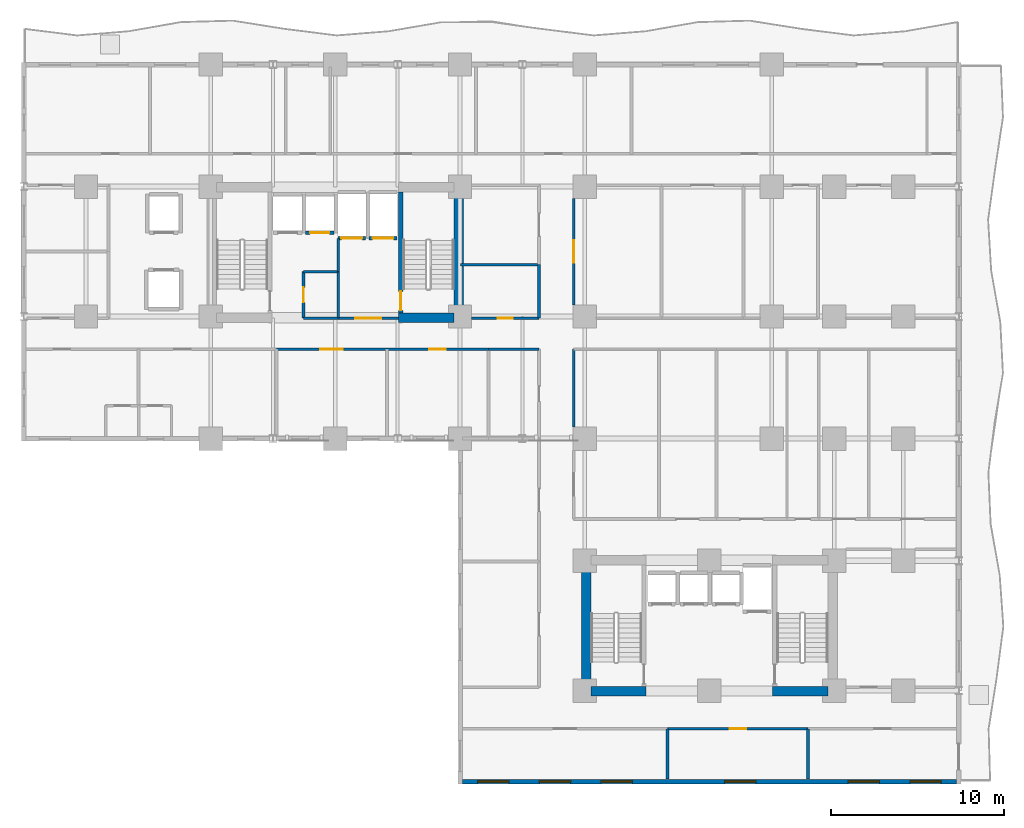
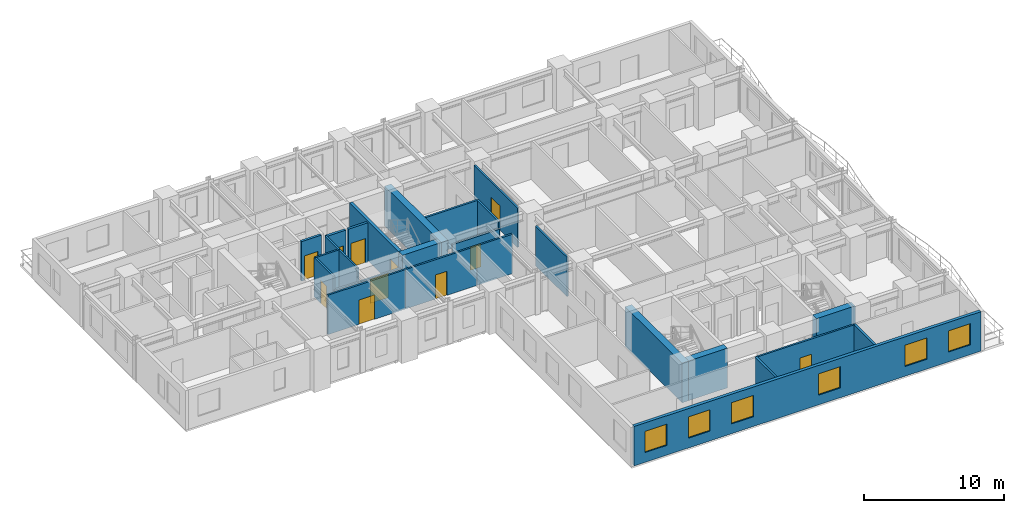
# One storey, part 4 of 11: 27 walls, 11 doors, 6 windows, 17 openings.
"""IFC4 building model written with IfcOpenShell, lengths in metres."""

from ifc_helpers import new_model, si_unit, direction, frame, frame_2d, origin, place, context, subcontext, project, spatial, rectangle, extrude, material, layer, layer_set, type_object, element, fill, save


model = new_model("IFC4")

# Units and contexts
model_context = context("Model", 3, precision=1e-05, world=origin(), true_north=direction((0.0, 1.0)))
body_context = subcontext(model_context, "Body", "Model", "MODEL_VIEW")
ifc_project = project(units=[si_unit("LENGTHUNIT", "METRE"), si_unit("AREAUNIT", "SQUARE_METRE"), si_unit("VOLUMEUNIT", "CUBIC_METRE"), si_unit("PLANEANGLEUNIT", "RADIAN"), si_unit("MASSUNIT", "GRAM", prefix="KILO")], contexts=[model_context])

# Site, building, storey
site_placement = place(None, origin())
site = spatial("IfcSite", under=ifc_project, at=site_placement, CompositionType="ELEMENT")
building_placement = place(site_placement, origin())
building = spatial("IfcBuilding", under=site, at=building_placement, Name="Kaliganga Portal Commons", CompositionType="ELEMENT")
storey_placement = place(building_placement, frame((0.0, 0.0, 36.39990234375)))
storey = spatial("IfcBuildingStorey", under=building, at=storey_placement, Name="L08", CompositionType="ELEMENT", Elevation=36.39990234375)

# Walls
ifc_material_1 = material(Name="Concrete C60/75", Category="concrete")
ifc_layer_1 = layer(ifc_material_1, 0.550048828125)
ifc_layer_set_1 = layer_set([ifc_layer_1], Name="Concrete C60/75")
wall_type_1 = type_object("IfcWallType", Name="WL-CORE-550", PredefinedType="SHEAR", material=ifc_layer_set_1)
wall_1_placement = place(storey_placement, frame((28.72509765625, 28.300048828125, 0.0), z_axis=(0.0, 0.0, 1.0), x_axis=(0.0, 1.0, 0.0)))
element("IfcWall", 1, at=wall_1_placement, inside=storey, type_object=wall_type_1, Name="Core A East Shear Wall L08", PredefinedType="SHEAR", context=body_context, shape_type="SweptSolid", body=[
    extrude(rectangle(XDim=8.099853515625, YDim=0.550048828125, at=frame_2d((4.0498046875, 0.0))), origin(), (0.0, 0.0, 1.0), 3.4501953125),
])
wall_2_placement = place(storey_placement, frame((25.25, 28.574951171875, 0.0), z_axis=(0.0, 0.0, 1.0), x_axis=(1.0, 0.0, 0.0)))
element("IfcWall", 2, at=wall_2_placement, inside=storey, type_object=wall_type_1, Name="Core A S-East Shear Wall L08", PredefinedType="SHEAR", context=body_context, shape_type="SweptSolid", body=[
    extrude(rectangle(XDim=3.199951171875, YDim=0.550048828125, at=frame_2d((1.60009765625, 0.0))), origin(), (0.0, 0.0, 1.0), 3.4501953125),
])
wall_3_placement = place(storey_placement, frame((36.074951171875, 6.75, 0.0), z_axis=(0.0, 0.0, 1.0), x_axis=(0.0, 1.0, 0.0)))
element("IfcWall", 3, at=wall_3_placement, inside=storey, type_object=wall_type_1, Name="Core B West Shear Wall L08", PredefinedType="SHEAR", context=body_context, shape_type="SweptSolid", body=[
    extrude(rectangle(XDim=8.10009765625, YDim=0.550048828125, at=frame_2d((4.050048828125, 0.0))), origin(), (0.0, 0.0, 1.0), 3.4501953125),
])
for number, where, z_axis, x_axis, name in (
    (4, (36.35009765625, 7.02490234375, 0.0), (0.0, 0.0, 1.0), (1.0, 0.0, 0.0), "Core B S-West Shear Wall L08"),
    (5, (46.85009765625, 7.02490234375, 0.0), (0.0, 0.0, 1.0), (1.0, 0.0, 0.0), "Core B S-East Shear Wall L08"),
):
    element("IfcWall", number, at=place(storey_placement, frame(where, z_axis=z_axis, x_axis=x_axis)), inside=storey, type_object=wall_type_1, Name=name, PredefinedType="SHEAR", context=body_context, shape_type="SweptSolid", body=[
        extrude(rectangle(XDim=3.199951171875, YDim=0.550048828125, at=frame_2d((1.60009765625, 0.0))), origin(), (0.0, 0.0, 1.0), 3.4501953125),
    ])

# Wall, openings, windows
ifc_material_2 = material(Name="Insulated Aluminium-Clad Spandrel Assembly", Category="aluminium")
ifc_layer_2 = layer(ifc_material_2, 0.260009765625)
ifc_layer_set_2 = layer_set([ifc_layer_2], Name="Insulated Aluminium-Clad Spandrel Assembly")
wall_type_2 = type_object("IfcWallType", Name="WL-EXT-SPAND-260", PredefinedType="STANDARD", material=ifc_layer_set_2)
wall_4_placement = place(storey_placement, frame((57.465087890625, 1.800048828125, 0.0), z_axis=(0.0, 0.0, 1.0), x_axis=(-1.0, 0.0, 0.0)))
wall_4 = element("IfcWall", 6, at=wall_4_placement, inside=storey, type_object=wall_type_2, Name="Exterior Envelope Wall L08 P1-E00-S1", PredefinedType="STANDARD", context=body_context, shape_type="SweptSolid", body=[
    extrude(rectangle(XDim=28.530029296875, YDim=0.260009765625, at=frame_2d((14.26513671875, 0.0))), origin(), (0.0, 0.0, 1.0), 3.43017578125),
])
opening_1_placement = place(wall_4_placement, frame((0.883056640625, 0.0, 0.85009765625)))
opening_1 = element("IfcOpeningElement", 7, at=opening_1_placement, cuts=wall_4, Name="Opening W-01", PredefinedType="OPENING", context=body_context, shape_type="SweptSolid", body=[
    extrude(rectangle(XDim=1.800048828125, YDim=1.85009765625, at=frame_2d((0.89990234375, 0.925048828125))), frame((0.0, 0.14013671875, 0.0), z_axis=(0.0, -1.0, 0.0), x_axis=(1.0, 0.0, 0.0)), (0.0, 0.0, 1.0), 0.280029296875),
])
opening_2_placement = place(wall_4_placement, frame((4.449462890625, 0.0, 0.85009765625)))
opening_2 = element("IfcOpeningElement", 8, at=opening_2_placement, cuts=wall_4, Name="Opening W-01", PredefinedType="OPENING", context=body_context, shape_type="SweptSolid", body=[
    extrude(rectangle(XDim=1.800048828125, YDim=1.85009765625, at=frame_2d((0.89990234375, 0.925048828125))), frame((0.0, 0.14013671875, 0.0), z_axis=(0.0, -1.0, 0.0), x_axis=(1.0, 0.0, 0.0)), (0.0, 0.0, 1.0), 0.280029296875),
])
opening_3_placement = place(wall_4_placement, frame((11.581787109375, 0.0, 0.85009765625)))
opening_3 = element("IfcOpeningElement", 9, at=opening_3_placement, cuts=wall_4, Name="Opening W-01", PredefinedType="OPENING", context=body_context, shape_type="SweptSolid", body=[
    extrude(rectangle(XDim=1.800048828125, YDim=1.85009765625, at=frame_2d((0.89990234375, 0.925048828125))), frame((0.0, 0.14013671875, 0.0), z_axis=(0.0, -1.0, 0.0), x_axis=(1.0, 0.0, 0.0)), (0.0, 0.0, 1.0), 0.280029296875),
])
opening_4_placement = place(wall_4_placement, frame((18.71435546875, 0.0, 0.85009765625)))
opening_4 = element("IfcOpeningElement", 10, at=opening_4_placement, cuts=wall_4, Name="Opening W-01", PredefinedType="OPENING", context=body_context, shape_type="SweptSolid", body=[
    extrude(rectangle(XDim=1.800048828125, YDim=1.85009765625, at=frame_2d((0.89990234375, 0.925048828125))), frame((0.0, 0.14013671875, 0.0), z_axis=(0.0, -1.0, 0.0), x_axis=(1.0, 0.0, 0.0)), (0.0, 0.0, 1.0), 0.280029296875),
])
opening_5_placement = place(wall_4_placement, frame((22.280517578125, 0.0, 0.85009765625)))
opening_5 = element("IfcOpeningElement", 11, at=opening_5_placement, cuts=wall_4, Name="Opening W-01", PredefinedType="OPENING", context=body_context, shape_type="SweptSolid", body=[
    extrude(rectangle(XDim=1.800048828125, YDim=1.85009765625, at=frame_2d((0.89990234375, 0.925048828125))), frame((0.0, 0.14013671875, 0.0), z_axis=(0.0, -1.0, 0.0), x_axis=(1.0, 0.0, 0.0)), (0.0, 0.0, 1.0), 0.280029296875),
])
opening_6_placement = place(wall_4_placement, frame((25.846923828125, 0.0, 0.85009765625)))
opening_6 = element("IfcOpeningElement", 12, at=opening_6_placement, cuts=wall_4, Name="Opening W-01", PredefinedType="OPENING", context=body_context, shape_type="SweptSolid", body=[
    extrude(rectangle(XDim=1.800048828125, YDim=1.85009765625, at=frame_2d((0.89990234375, 0.925048828125))), frame((0.0, 0.14013671875, 0.0), z_axis=(0.0, -1.0, 0.0), x_axis=(1.0, 0.0, 0.0)), (0.0, 0.0, 1.0), 0.280029296875),
])
ifc_material_3 = material(Name="Thermally Broken Aluminium and Low-E Double Glazing", Category="aluminium")
window_type = type_object("IfcWindowType", Name="WIN-STD-1800", PartitioningType="DOUBLE_PANEL_VERTICAL", PredefinedType="WINDOW", material=ifc_material_3)
window_1_placement = place(opening_1_placement, origin())
window_1 = element("IfcWindow", 13, at=window_1_placement, inside=storey, type_object=window_type, Name="Facade Window L08-P1E00S1-00", OverallHeight=1.85009765625, OverallWidth=1.800048828125, PartitioningType="SINGLE_PANEL", PredefinedType="WINDOW", context=body_context, shape_type="SweptSolid", body=[
    extrude(rectangle(XDim=1.800048828125, YDim=1.85009765625, at=frame_2d((0.89990234375, 0.925048828125))), frame((0.0, 0.030029296875, 0.0), z_axis=(0.0, -1.0, 0.0), x_axis=(1.0, 0.0, 0.0)), (0.0, 0.0, 1.0), 0.06005859375),
])
fill(opening_1, window_1)
window_2_placement = place(opening_2_placement, origin())
window_2 = element("IfcWindow", 14, at=window_2_placement, inside=storey, type_object=window_type, Name="Facade Window L08-P1E00S1-01", OverallHeight=1.85009765625, OverallWidth=1.800048828125, PartitioningType="SINGLE_PANEL", PredefinedType="WINDOW", context=body_context, shape_type="SweptSolid", body=[
    extrude(rectangle(XDim=1.800048828125, YDim=1.85009765625, at=frame_2d((0.89990234375, 0.925048828125))), frame((0.0, 0.030029296875, 0.0), z_axis=(0.0, -1.0, 0.0), x_axis=(1.0, 0.0, 0.0)), (0.0, 0.0, 1.0), 0.06005859375),
])
fill(opening_2, window_2)
window_3_placement = place(opening_3_placement, origin())
window_3 = element("IfcWindow", 15, at=window_3_placement, inside=storey, type_object=window_type, Name="Facade Window L08-P1E00S1-03", OverallHeight=1.85009765625, OverallWidth=1.800048828125, PartitioningType="SINGLE_PANEL", PredefinedType="WINDOW", context=body_context, shape_type="SweptSolid", body=[
    extrude(rectangle(XDim=1.800048828125, YDim=1.85009765625, at=frame_2d((0.89990234375, 0.925048828125))), frame((0.0, 0.030029296875, 0.0), z_axis=(0.0, -1.0, 0.0), x_axis=(1.0, 0.0, 0.0)), (0.0, 0.0, 1.0), 0.06005859375),
])
fill(opening_3, window_3)
window_4_placement = place(opening_4_placement, origin())
window_4 = element("IfcWindow", 16, at=window_4_placement, inside=storey, type_object=window_type, Name="Facade Window L08-P1E00S1-05", OverallHeight=1.85009765625, OverallWidth=1.800048828125, PartitioningType="SINGLE_PANEL", PredefinedType="WINDOW", context=body_context, shape_type="SweptSolid", body=[
    extrude(rectangle(XDim=1.800048828125, YDim=1.85009765625, at=frame_2d((0.89990234375, 0.925048828125))), frame((0.0, 0.030029296875, 0.0), z_axis=(0.0, -1.0, 0.0), x_axis=(1.0, 0.0, 0.0)), (0.0, 0.0, 1.0), 0.06005859375),
])
fill(opening_4, window_4)
window_5_placement = place(opening_5_placement, origin())
window_5 = element("IfcWindow", 17, at=window_5_placement, inside=storey, type_object=window_type, Name="Facade Window L08-P1E00S1-06", OverallHeight=1.85009765625, OverallWidth=1.800048828125, PartitioningType="SINGLE_PANEL", PredefinedType="WINDOW", context=body_context, shape_type="SweptSolid", body=[
    extrude(rectangle(XDim=1.800048828125, YDim=1.85009765625, at=frame_2d((0.89990234375, 0.925048828125))), frame((0.0, 0.030029296875, 0.0), z_axis=(0.0, -1.0, 0.0), x_axis=(1.0, 0.0, 0.0)), (0.0, 0.0, 1.0), 0.06005859375),
])
fill(opening_5, window_5)
window_6_placement = place(opening_6_placement, origin())
window_6 = element("IfcWindow", 18, at=window_6_placement, inside=storey, type_object=window_type, Name="Facade Window L08-P1E00S1-07", OverallHeight=1.85009765625, OverallWidth=1.800048828125, PartitioningType="SINGLE_PANEL", PredefinedType="WINDOW", context=body_context, shape_type="SweptSolid", body=[
    extrude(rectangle(XDim=1.800048828125, YDim=1.85009765625, at=frame_2d((0.89990234375, 0.925048828125))), frame((0.0, 0.030029296875, 0.0), z_axis=(0.0, -1.0, 0.0), x_axis=(1.0, 0.0, 0.0)), (0.0, 0.0, 1.0), 0.06005859375),
])
fill(opening_6, window_6)

# Wall
ifc_material_4 = material(Name="Fire-Rated Gypsum Board on Steel Stud", Category="steel")
ifc_layer_3 = layer(ifc_material_4, 0.14990234375)
ifc_layer_set_3 = layer_set([ifc_layer_3], Name="Fire-Rated Gypsum Board on Steel Stud")
wall_type_3 = type_object("IfcWallType", Name="WL-PART-CORR-150", PredefinedType="PARTITIONING", material=ifc_layer_set_3)
wall_5_placement = place(storey_placement, frame((35.360107421875, 22.27490234375, 0.0), z_axis=(0.0, 0.0, 1.0), x_axis=(0.0, 1.0, 0.0)))
element("IfcWall", 19, at=wall_5_placement, inside=storey, type_object=wall_type_3, Name="Interior Partition L08-009", PredefinedType="PARTITIONING", context=body_context, shape_type="SweptSolid", body=[
    extrude(rectangle(XDim=4.485107421875, YDim=0.14990234375, at=frame_2d((2.24267578125, 0.0))), origin(), (0.0, 0.0, 1.0), 3.43017578125),
])

# Wall, opening, door
wall_6_placement = place(storey_placement, frame((40.780029296875, 4.840087890625, 0.0), z_axis=(0.0, 0.0, 1.0), x_axis=(1.0, 0.0, 0.0)))
wall_6 = element("IfcWall", 20, at=wall_6_placement, inside=storey, type_object=wall_type_3, Name="Interior Partition L08-015", PredefinedType="PARTITIONING", context=body_context, shape_type="SweptSolid", body=[
    extrude(rectangle(XDim=8.119873046875, YDim=0.14990234375, at=frame_2d((4.06005859375, 0.0))), origin(), (0.0, 0.0, 1.0), 3.43017578125),
])
opening_7_placement = place(wall_6_placement, frame((3.5849609375, 0.0, 0.0)))
opening_7 = element("IfcOpeningElement", 21, at=opening_7_placement, cuts=wall_6, Name="Opening UD-01", PredefinedType="OPENING", context=body_context, shape_type="SweptSolid", body=[
    extrude(rectangle(XDim=0.949951171875, YDim=2.10009765625, at=frame_2d((0.47509765625, 1.050048828125))), frame((0.0, 0.0849609375, 0.0), z_axis=(0.0, -1.0, 0.0), x_axis=(1.0, 0.0, 0.0)), (0.0, 0.0, 1.0), 0.169921875),
])
ifc_material_5 = material(Name="Solid-Core Timber Acoustic Fire Door", Category="wood")
door_type_1 = type_object("IfcDoorType", Name="DR-UNIT-950", OperationType="NOTDEFINED", PredefinedType="DOOR", material=ifc_material_5)
door_1_placement = place(opening_7_placement, origin())
door_1 = element("IfcDoor", 22, at=door_1_placement, inside=storey, type_object=door_type_1, Name="Interior Door L08-BS02", OperationType="SINGLE_SWING_LEFT", OverallHeight=2.10009765625, OverallWidth=0.949951171875, PredefinedType="DOOR", context=body_context, shape_type="SweptSolid", body=[
    extrude(rectangle(XDim=0.949951171875, YDim=2.10009765625, at=frame_2d((0.47509765625, 1.050048828125))), frame((0.0, 0.02490234375, 0.0), z_axis=(0.0, -1.0, 0.0), x_axis=(1.0, 0.0, 0.0)), (0.0, 0.0, 1.0), 0.050048828125),
])
fill(opening_7, door_1)

wall_7_placement = place(storey_placement, frame((35.360107421875, 29.324951171875, 0.0), z_axis=(0.0, 0.0, 1.0), x_axis=(0.0, 1.0, 0.0)))
wall_7 = element("IfcWall", 23, at=wall_7_placement, inside=storey, type_object=wall_type_3, Name="Interior Partition L08-018", PredefinedType="PARTITIONING", context=body_context, shape_type="SweptSolid", body=[
    extrude(rectangle(XDim=6.150146484375, YDim=0.14990234375, at=frame_2d((3.0751953125, 0.0))), origin(), (0.0, 0.0, 1.0), 3.43017578125),
])
opening_8_placement = place(wall_7_placement, frame((2.425048828125, 0.0, 0.0)))
opening_8 = element("IfcOpeningElement", 24, at=opening_8_placement, cuts=wall_7, Name="Opening RD-03", PredefinedType="OPENING", context=body_context, shape_type="SweptSolid", body=[
    extrude(rectangle(XDim=1.300048828125, YDim=2.1201171875, at=frame_2d((0.64990234375, 1.06005859375))), frame((0.0, 0.0849609375, 0.0), z_axis=(0.0, -1.0, 0.0), x_axis=(1.0, 0.0, 0.0)), (0.0, 0.0, 1.0), 0.169921875),
])
ifc_material_6 = material(Name="Glazed Timber Seminar Vision Door", Category="wood")
door_type_2 = type_object("IfcDoorType", Name="DR-STUDY-1300", OperationType="DOUBLE_DOOR_SINGLE_SWING", PredefinedType="DOOR", material=ifc_material_6)
door_2_placement = place(opening_8_placement, origin())
door_2 = element("IfcDoor", 25, at=door_2_placement, inside=storey, type_object=door_type_2, Name="Interior Door L08-BK01", OperationType="DOUBLE_DOOR_SINGLE_SWING", OverallHeight=2.1201171875, OverallWidth=1.300048828125, PredefinedType="DOOR", context=body_context, shape_type="SweptSolid", body=[
    extrude(rectangle(XDim=1.300048828125, YDim=2.1201171875, at=frame_2d((0.64990234375, 1.06005859375))), frame((0.0, 0.02490234375, 0.0), z_axis=(0.0, -1.0, 0.0), x_axis=(1.0, 0.0, 0.0)), (0.0, 0.0, 1.0), 0.050048828125),
])
fill(opening_8, door_2)

wall_8_placement = place(storey_placement, frame((18.199951171875, 26.760009765625, 0.0), z_axis=(0.0, 0.0, 1.0), x_axis=(1.0, 0.0, 0.0)))
wall_8 = element("IfcWall", 26, at=wall_8_placement, inside=storey, type_object=wall_type_3, Name="Interior Partition L08-027", PredefinedType="PARTITIONING", context=body_context, shape_type="SweptSolid", body=[
    extrude(rectangle(XDim=6.380126953125, YDim=0.14990234375, at=frame_2d((3.18994140625, 0.0))), origin(), (0.0, 0.0, 1.0), 3.43017578125),
])
opening_9_placement = place(wall_8_placement, frame((2.5400390625, 0.0, 0.0)))
opening_9 = element("IfcOpeningElement", 27, at=opening_9_placement, cuts=wall_8, Name="Opening RD-03", PredefinedType="OPENING", context=body_context, shape_type="SweptSolid", body=[
    extrude(rectangle(XDim=1.300048828125, YDim=2.1201171875, at=frame_2d((0.64990234375, 1.06005859375))), frame((0.0, 0.0849609375, 0.0), z_axis=(0.0, -1.0, 0.0), x_axis=(1.0, 0.0, 0.0)), (0.0, 0.0, 1.0), 0.169921875),
])
door_3_placement = place(opening_9_placement, origin())
door_3 = element("IfcDoor", 28, at=door_3_placement, inside=storey, type_object=door_type_2, Name="Interior Door L08-AS03", OperationType="DOUBLE_DOOR_SINGLE_SWING", OverallHeight=2.1201171875, OverallWidth=1.300048828125, PredefinedType="DOOR", context=body_context, shape_type="SweptSolid", body=[
    extrude(rectangle(XDim=1.300048828125, YDim=2.1201171875, at=frame_2d((0.64990234375, 1.06005859375))), frame((0.0, 0.02490234375, 0.0), z_axis=(0.0, -1.0, 0.0), x_axis=(1.0, 0.0, 0.0)), (0.0, 0.0, 1.0), 0.050048828125),
])
fill(opening_9, door_3)

wall_9_placement = place(storey_placement, frame((24.580078125, 26.760009765625, 0.0), z_axis=(0.0, 0.0, 1.0), x_axis=(1.0, 0.0, 0.0)))
wall_9 = element("IfcWall", 29, at=wall_9_placement, inside=storey, type_object=wall_type_3, Name="Interior Partition L08-028", PredefinedType="PARTITIONING", context=body_context, shape_type="SweptSolid", body=[
    extrude(rectangle(XDim=5.85986328125, YDim=0.14990234375, at=frame_2d((2.929931640625, 0.0))), origin(), (0.0, 0.0, 1.0), 3.43017578125),
])
opening_10_placement = place(wall_9_placement, frame((2.455078125, 0.0, 0.0)))
opening_10 = element("IfcOpeningElement", 30, at=opening_10_placement, cuts=wall_9, Name="Opening UD-01", PredefinedType="OPENING", context=body_context, shape_type="SweptSolid", body=[
    extrude(rectangle(XDim=0.949951171875, YDim=2.10009765625, at=frame_2d((0.47509765625, 1.050048828125))), frame((0.0, 0.0849609375, 0.0), z_axis=(0.0, -1.0, 0.0), x_axis=(1.0, 0.0, 0.0)), (0.0, 0.0, 1.0), 0.169921875),
])
door_4_placement = place(opening_10_placement, origin())
door_4 = element("IfcDoor", 31, at=door_4_placement, inside=storey, type_object=door_type_1, Name="Interior Door L08-AS04", OperationType="SINGLE_SWING_LEFT", OverallHeight=2.10009765625, OverallWidth=0.949951171875, PredefinedType="DOOR", context=body_context, shape_type="SweptSolid", body=[
    extrude(rectangle(XDim=0.949951171875, YDim=2.10009765625, at=frame_2d((0.47509765625, 1.050048828125))), frame((0.0, 0.02490234375, 0.0), z_axis=(0.0, -1.0, 0.0), x_axis=(1.0, 0.0, 0.0)), (0.0, 0.0, 1.0), 0.050048828125),
])
fill(opening_10, door_4)

wall_10_placement = place(storey_placement, frame((29.47509765625, 28.56005859375, 0.0), z_axis=(0.0, 0.0, 1.0), x_axis=(1.0, 0.0, 0.0)))
wall_10 = element("IfcWall", 32, at=wall_10_placement, inside=storey, type_object=wall_type_3, Name="Interior Partition L08-040", PredefinedType="PARTITIONING", context=body_context, shape_type="SweptSolid", body=[
    extrude(rectangle(XDim=3.885009765625, YDim=0.14990234375, at=frame_2d((1.9423828125, 0.0))), origin(), (0.0, 0.0, 1.0), 2.780029296875),
])
opening_11_placement = place(wall_10_placement, frame((1.512451171875, 0.0, 0.0)))
opening_11 = element("IfcOpeningElement", 33, at=opening_11_placement, cuts=wall_10, Name="Opening WD-02", PredefinedType="OPENING", context=body_context, shape_type="SweptSolid", body=[
    extrude(rectangle(XDim=0.860107421875, YDim=2.02001953125, at=frame_2d((0.43017578125, 1.010009765625))), frame((0.0, 0.0849609375, 0.0), z_axis=(0.0, -1.0, 0.0), x_axis=(1.0, 0.0, 0.0)), (0.0, 0.0, 1.0), 0.169921875),
])
ifc_material_7 = material(Name="Fire-Rated Utility Closet Door", Category="wood")
door_type_3 = type_object("IfcDoorType", Name="DR-STORE-800", OperationType="NOTDEFINED", PredefinedType="DOOR", material=ifc_material_7)
door_5_placement = place(opening_11_placement, origin())
door_5 = element("IfcDoor", 34, at=door_5_placement, inside=storey, type_object=door_type_3, Name="Interior Door L08-CSRV_A1", OperationType="SINGLE_SWING_RIGHT", OverallHeight=2.02001953125, OverallWidth=0.860107421875, PredefinedType="DOOR", context=body_context, shape_type="SweptSolid", body=[
    extrude(rectangle(XDim=0.860107421875, YDim=2.02001953125, at=frame_2d((0.43017578125, 1.010009765625))), frame((0.0, 0.02490234375, 0.0), z_axis=(0.0, -1.0, 0.0), x_axis=(1.0, 0.0, 0.0)), (0.0, 0.0, 1.0), 0.050048828125),
])
fill(opening_11, door_5)

# Walls
wall_11_placement = place(storey_placement, frame((33.360107421875, 28.56005859375, 0.0), z_axis=(0.0, 0.0, 1.0), x_axis=(0.0, 1.0, 0.0)))
element("IfcWall", 35, at=wall_11_placement, inside=storey, type_object=wall_type_3, Name="Interior Partition L08-048", PredefinedType="PARTITIONING", context=body_context, shape_type="SweptSolid", body=[
    extrude(rectangle(XDim=3.079833984375, YDim=0.14990234375, at=frame_2d((1.5400390625, 0.0))), origin(), (0.0, 0.0, 1.0), 3.43017578125),
])
wall_12_placement = place(storey_placement, frame((30.43994140625, 26.760009765625, 0.0), z_axis=(0.0, 0.0, 1.0), x_axis=(1.0, 0.0, 0.0)))
element("IfcWall", 36, at=wall_12_placement, inside=storey, type_object=wall_type_3, Name="Interior Partition L08-049", PredefinedType="PARTITIONING", context=body_context, shape_type="SweptSolid", body=[
    extrude(rectangle(XDim=2.920166015625, YDim=0.14990234375, at=frame_2d((1.4599609375, 0.0))), origin(), (0.0, 0.0, 1.0), 3.43017578125),
])

# Wall, opening, door
wall_13_placement = place(storey_placement, frame((19.760009765625, 28.56005859375, 0.0), z_axis=(0.0, 0.0, 1.0), x_axis=(0.0, 1.0, 0.0)))
wall_13 = element("IfcWall", 37, at=wall_13_placement, inside=storey, type_object=wall_type_3, Name="Interior Partition L08-051", PredefinedType="PARTITIONING", context=body_context, shape_type="SweptSolid", body=[
    extrude(rectangle(XDim=2.679931640625, YDim=0.14990234375, at=frame_2d((1.33984375, 0.0))), origin(), (0.0, 0.0, 1.0), 3.43017578125),
])
opening_12_placement = place(wall_13_placement, frame((0.909912109375, 0.0, 0.0)))
opening_12 = element("IfcOpeningElement", 38, at=opening_12_placement, cuts=wall_13, Name="Opening WD-02", PredefinedType="OPENING", context=body_context, shape_type="SweptSolid", body=[
    extrude(rectangle(XDim=0.860107421875, YDim=2.02001953125, at=frame_2d((0.43017578125, 1.010009765625))), frame((0.0, 0.0849609375, 0.0), z_axis=(0.0, -1.0, 0.0), x_axis=(1.0, 0.0, 0.0)), (0.0, 0.0, 1.0), 0.169921875),
])
door_6_placement = place(opening_12_placement, origin())
door_6 = element("IfcDoor", 39, at=door_6_placement, inside=storey, type_object=door_type_3, Name="Interior Door L08-CIN_A1", OperationType="SINGLE_SWING_RIGHT", OverallHeight=2.02001953125, OverallWidth=0.860107421875, PredefinedType="DOOR", context=body_context, shape_type="SweptSolid", body=[
    extrude(rectangle(XDim=0.860107421875, YDim=2.02001953125, at=frame_2d((0.43017578125, 1.010009765625))), frame((0.0, 0.02490234375, 0.0), z_axis=(0.0, -1.0, 0.0), x_axis=(1.0, 0.0, 0.0)), (0.0, 0.0, 1.0), 0.050048828125),
])
fill(opening_12, door_6)

# Walls
wall_14_placement = place(storey_placement, frame((21.760009765625, 28.56005859375, 0.0), z_axis=(0.0, 0.0, 1.0), x_axis=(0.0, 1.0, 0.0)))
element("IfcWall", 40, at=wall_14_placement, inside=storey, type_object=wall_type_3, Name="Interior Partition L08-052", PredefinedType="PARTITIONING", context=body_context, shape_type="SweptSolid", body=[
    extrude(rectangle(XDim=2.679931640625, YDim=0.14990234375, at=frame_2d((1.33984375, 0.0))), origin(), (0.0, 0.0, 1.0), 3.43017578125),
])
wall_15_placement = place(storey_placement, frame((19.760009765625, 28.56005859375, 0.0), z_axis=(0.0, 0.0, 1.0), x_axis=(1.0, 0.0, 0.0)))
element("IfcWall", 41, at=wall_15_placement, inside=storey, type_object=wall_type_3, Name="Interior Partition L08-054", PredefinedType="PARTITIONING", context=body_context, shape_type="SweptSolid", body=[
    extrude(rectangle(XDim=2.0, YDim=0.14990234375, at=frame_2d((1.0, 0.0))), origin(), (0.0, 0.0, 1.0), 2.22998046875),
])
wall_16_placement = place(storey_placement, frame((19.760009765625, 31.239990234375, 0.0), z_axis=(0.0, 0.0, 1.0), x_axis=(1.0, 0.0, 0.0)))
element("IfcWall", 42, at=wall_16_placement, inside=storey, type_object=wall_type_3, Name="Interior Partition L08-055", PredefinedType="PARTITIONING", context=body_context, shape_type="SweptSolid", body=[
    extrude(rectangle(XDim=2.0, YDim=0.14990234375, at=frame_2d((1.0, 0.0))), origin(), (0.0, 0.0, 1.0), 3.43017578125),
])

# Wall, opening, door
wall_17_placement = place(storey_placement, frame((21.760009765625, 28.56005859375, 0.0), z_axis=(0.0, 0.0, 1.0), x_axis=(1.0, 0.0, 0.0)))
wall_17 = element("IfcWall", 43, at=wall_17_placement, inside=storey, type_object=wall_type_3, Name="Interior Partition L08-087", PredefinedType="PARTITIONING", context=body_context, shape_type="SweptSolid", body=[
    extrude(rectangle(XDim=3.47998046875, YDim=0.14990234375, at=frame_2d((1.739990234375, 0.0))), origin(), (0.0, 0.0, 1.0), 2.22998046875),
])
opening_13_placement = place(wall_17_placement, frame((0.989990234375, 0.0, 0.0)))
opening_13 = element("IfcOpeningElement", 44, at=opening_13_placement, cuts=wall_17, Name="Opening FD-01", PredefinedType="OPENING", context=body_context, shape_type="SweptSolid", body=[
    extrude(rectangle(XDim=1.5, YDim=2.10009765625, at=frame_2d((0.75, 1.050048828125))), frame((0.0, 0.0849609375, 0.0), z_axis=(0.0, -1.0, 0.0), x_axis=(1.0, 0.0, 0.0)), (0.0, 0.0, 1.0), 0.169921875),
])
ifc_material_8 = material(Name="Fire-Rated Hardwood and Georgian-Wired Vision Panel", Category="wood")
door_type_4 = type_object("IfcDoorType", Name="DR-LOBBY-1500", OperationType="DOUBLE_DOOR_SINGLE_SWING", PredefinedType="DOOR", material=ifc_material_8)
door_7_placement = place(opening_13_placement, origin())
door_7 = element("IfcDoor", 45, at=door_7_placement, inside=storey, type_object=door_type_4, Name="Interior Door L08-FFLOB_A", OperationType="DOUBLE_DOOR_SINGLE_SWING", OverallHeight=2.10009765625, OverallWidth=1.5, PredefinedType="DOOR", context=body_context, shape_type="SweptSolid", body=[
    extrude(rectangle(XDim=1.5, YDim=2.10009765625, at=frame_2d((0.75, 1.050048828125))), frame((0.0, 0.02490234375, 0.0), z_axis=(0.0, -1.0, 0.0), x_axis=(1.0, 0.0, 0.0)), (0.0, 0.0, 1.0), 0.050048828125),
])
fill(opening_13, door_7)

# Walls
wall_18_placement = place(storey_placement, frame((21.760009765625, 31.239990234375, 0.0), z_axis=(0.0, 0.0, 1.0), x_axis=(0.0, 1.0, 0.0)))
element("IfcWall", 46, at=wall_18_placement, inside=storey, type_object=wall_type_3, Name="Interior Partition L08-094", PredefinedType="PARTITIONING", context=body_context, shape_type="SweptSolid", body=[
    extrude(rectangle(XDim=1.919921875, YDim=0.14990234375, at=frame_2d((0.9599609375, 0.0))), origin(), (0.0, 0.0, 1.0), 3.43017578125),
])
ifc_material_9 = material(Name="Twin-Stud Acoustic Gypsum Partition", Category="gypsum")
ifc_layer_4 = layer(ifc_material_9, 0.1650390625)
ifc_layer_set_4 = layer_set([ifc_layer_4], Name="Twin-Stud Acoustic Gypsum Partition")
wall_type_4 = type_object("IfcWallType", Name="WL-PART-UNIT-165", PredefinedType="PARTITIONING", material=ifc_layer_set_4)
wall_19_placement = place(storey_placement, frame((28.840087890625, 31.639892578125, 0.0), z_axis=(0.0, 0.0, 1.0), x_axis=(1.0, 0.0, 0.0)))
element("IfcWall", 47, at=wall_19_placement, inside=storey, type_object=wall_type_4, Name="Interior Partition L08-083", PredefinedType="PARTITIONING", context=body_context, shape_type="SweptSolid", body=[
    extrude(rectangle(XDim=4.52001953125, YDim=0.1650390625, at=frame_2d((2.260009765625, 0.0))), origin(), (0.0, 0.0, 1.0), 3.43017578125),
])
for number, where, z_axis, x_axis, name in (
    (48, (40.780029296875, 1.931884765625, 0.0), (0.0, 0.0, 1.0), (0.0, 1.0, 0.0), "Interior Partition L08-090"),
    (49, (48.89990234375, 1.931884765625, 0.0), (0.0, 0.0, 1.0), (0.0, 1.0, 0.0), "Interior Partition L08-091"),
):
    element("IfcWall", number, at=place(storey_placement, frame(where, z_axis=z_axis, x_axis=x_axis)), inside=storey, type_object=wall_type_4, Name=name, PredefinedType="PARTITIONING", context=body_context, shape_type="SweptSolid", body=[
        extrude(rectangle(XDim=2.908203125, YDim=0.1650390625, at=frame_2d((1.4541015625, 0.0))), origin(), (0.0, 0.0, 1.0), 3.43017578125),
    ])

# Wall, opening, door
ifc_material_10 = material(Name="Fire-Rated Shaftwall Masonry Assembly", Category="masonry")
ifc_layer_5 = layer(ifc_material_10, 0.199951171875)
ifc_layer_set_5 = layer_set([ifc_layer_5], Name="Fire-Rated Shaftwall Masonry Assembly")
wall_type_5 = type_object("IfcWallType", Name="WL-SHAFT-200", PredefinedType="PARTITIONING", material=ifc_layer_set_5)
wall_20_placement = place(storey_placement, frame((19.875, 33.485107421875, 0.0), z_axis=(0.0, 0.0, 1.0), x_axis=(1.0, 0.0, 0.0)))
wall_20 = element("IfcWall", 50, at=wall_20_placement, inside=storey, type_object=wall_type_5, Name="Lift PL-A2 Hoistway Shaft Wall L08-S", PredefinedType="PARTITIONING", context=body_context, shape_type="SweptSolid", body=[
    extrude(rectangle(XDim=1.64990234375, YDim=0.199951171875, at=frame_2d((0.824951171875, 0.0))), origin(), (0.0, 0.0, 1.0), 3.43017578125),
])
opening_14_placement = place(wall_20_placement, frame((0.27490234375, 0.0, 0.0)))
opening_14 = element("IfcOpeningElement", 51, at=opening_14_placement, cuts=wall_20, Name="Opening LD-01", PredefinedType="OPENING", context=body_context, shape_type="SweptSolid", body=[
    extrude(rectangle(XDim=1.10009765625, YDim=2.1201171875, at=frame_2d((0.550048828125, 1.06005859375))), frame((0.0, 0.10986328125, 0.0), z_axis=(0.0, -1.0, 0.0), x_axis=(1.0, 0.0, 0.0)), (0.0, 0.0, 1.0), 0.219970703125),
])
ifc_material_11 = material(Name="Brushed Stainless Steel 316 Lift Landing Door", Category="steel")
door_type_5 = type_object("IfcDoorType", Name="DR-LIFT-1100", OperationType="SLIDING_TO_LEFT", PredefinedType="DOOR", material=ifc_material_11)
door_8_placement = place(opening_14_placement, origin())
door_8 = element("IfcDoor", 52, at=door_8_placement, inside=storey, type_object=door_type_5, Name="Lift PL-A2 Sliding Landing Door L08", OperationType="SLIDING_TO_LEFT", OverallHeight=2.1201171875, OverallWidth=1.10009765625, PredefinedType="DOOR", context=body_context, shape_type="SweptSolid", body=[
    extrude(rectangle(XDim=1.10009765625, YDim=2.1201171875, at=frame_2d((0.550048828125, 1.06005859375))), frame((0.0, 0.02490234375, 0.0), z_axis=(0.0, -1.0, 0.0), x_axis=(1.0, 0.0, 0.0)), (0.0, 0.0, 1.0), 0.050048828125),
])
fill(opening_14, door_8)

wall_21_placement = place(storey_placement, frame((21.75, 33.159912109375, 0.0), z_axis=(0.0, 0.0, 1.0), x_axis=(1.0, 0.0, 0.0)))
wall_21 = element("IfcWall", 53, at=wall_21_placement, inside=storey, type_object=wall_type_5, Name="Lift FFL-1 Hoistway Shaft Wall L08-S", PredefinedType="PARTITIONING", context=body_context, shape_type="SweptSolid", body=[
    extrude(rectangle(XDim=1.60009765625, YDim=0.199951171875, at=frame_2d((0.800048828125, 0.0))), origin(), (0.0, 0.0, 1.0), 3.43017578125),
])
opening_15_placement = place(wall_21_placement, frame((0.199951171875, 0.0, 0.0)))
opening_15 = element("IfcOpeningElement", 54, at=opening_15_placement, cuts=wall_21, Name="Opening LD-02", PredefinedType="OPENING", context=body_context, shape_type="SweptSolid", body=[
    extrude(rectangle(XDim=1.199951171875, YDim=2.1201171875, at=frame_2d((0.60009765625, 1.06005859375))), frame((0.0, 0.10986328125, 0.0), z_axis=(0.0, -1.0, 0.0), x_axis=(1.0, 0.0, 0.0)), (0.0, 0.0, 1.0), 0.219970703125),
])
ifc_material_12 = material(Name="Brushed Stainless Steel 316 Stretcher Lift Landing Door", Category="steel")
door_type_6 = type_object("IfcDoorType", Name="DR-LIFT-1200", OperationType="SLIDING_TO_RIGHT", PredefinedType="DOOR", material=ifc_material_12)
door_9_placement = place(opening_15_placement, origin())
door_9 = element("IfcDoor", 55, at=door_9_placement, inside=storey, type_object=door_type_6, Name="Lift FFL-1 Sliding Landing Door L08", OperationType="SLIDING_TO_RIGHT", OverallHeight=2.1201171875, OverallWidth=1.199951171875, PredefinedType="DOOR", context=body_context, shape_type="SweptSolid", body=[
    extrude(rectangle(XDim=1.199951171875, YDim=2.1201171875, at=frame_2d((0.60009765625, 1.06005859375))), frame((0.0, 0.02490234375, 0.0), z_axis=(0.0, -1.0, 0.0), x_axis=(1.0, 0.0, 0.0)), (0.0, 0.0, 1.0), 0.050048828125),
])
fill(opening_15, door_9)

wall_22_placement = place(storey_placement, frame((23.550048828125, 33.159912109375, 0.0), z_axis=(0.0, 0.0, 1.0), x_axis=(1.0, 0.0, 0.0)))
wall_22 = element("IfcWall", 56, at=wall_22_placement, inside=storey, type_object=wall_type_5, Name="Lift FFL-2 Hoistway Shaft Wall L08-S", PredefinedType="PARTITIONING", context=body_context, shape_type="SweptSolid", body=[
    extrude(rectangle(XDim=1.599853515625, YDim=0.199951171875, at=frame_2d((0.7998046875, 0.0))), origin(), (0.0, 0.0, 1.0), 3.43017578125),
])
opening_16_placement = place(wall_22_placement, frame((0.199951171875, 0.0, 0.0)))
opening_16 = element("IfcOpeningElement", 57, at=opening_16_placement, cuts=wall_22, Name="Opening LD-02", PredefinedType="OPENING", context=body_context, shape_type="SweptSolid", body=[
    extrude(rectangle(XDim=1.199951171875, YDim=2.1201171875, at=frame_2d((0.60009765625, 1.06005859375))), frame((0.0, 0.10986328125, 0.0), z_axis=(0.0, -1.0, 0.0), x_axis=(1.0, 0.0, 0.0)), (0.0, 0.0, 1.0), 0.219970703125),
])
door_10_placement = place(opening_16_placement, origin())
door_10 = element("IfcDoor", 58, at=door_10_placement, inside=storey, type_object=door_type_6, Name="Lift FFL-2 Sliding Landing Door L08", OperationType="SLIDING_TO_RIGHT", OverallHeight=2.1201171875, OverallWidth=1.199951171875, PredefinedType="DOOR", context=body_context, shape_type="SweptSolid", body=[
    extrude(rectangle(XDim=1.199951171875, YDim=2.1201171875, at=frame_2d((0.60009765625, 1.06005859375))), frame((0.0, 0.02490234375, 0.0), z_axis=(0.0, -1.0, 0.0), x_axis=(1.0, 0.0, 0.0)), (0.0, 0.0, 1.0), 0.050048828125),
])
fill(opening_16, door_10)

ifc_material_13 = material(Name="Concrete C50/60", Category="concrete")
ifc_layer_6 = layer(ifc_material_13, 0.25)
ifc_layer_set_6 = layer_set([ifc_layer_6], Name="Concrete C50/60")
wall_type_6 = type_object("IfcWallType", Name="WL-STAIR-250", PredefinedType="SHEAR", material=ifc_layer_set_6)
wall_23_placement = place(storey_placement, frame((25.375, 28.85009765625, 0.0), z_axis=(0.0, 0.0, 1.0), x_axis=(0.0, 1.0, 0.0)))
wall_23 = element("IfcWall", 59, at=wall_23_placement, inside=storey, type_object=wall_type_6, Name="Stair A2 Enclosure Shear Wall L08", PredefinedType="SHEAR", context=body_context, shape_type="SweptSolid", body=[
    extrude(rectangle(XDim=7.0, YDim=0.25, at=frame_2d((3.5, 0.0))), origin(), (0.0, 0.0, 1.0), 3.4501953125),
])
opening_17_placement = place(wall_23_placement, frame((0.14990234375, 0.0, 0.0)))
opening_17 = element("IfcOpeningElement", 60, at=opening_17_placement, cuts=wall_23, Name="Opening SD-01", PredefinedType="OPENING", context=body_context, shape_type="SweptSolid", body=[
    extrude(rectangle(XDim=1.10009765625, YDim=2.080078125, at=frame_2d((0.550048828125, 1.0400390625))), frame((0.0, 0.135009765625, 0.0), z_axis=(0.0, -1.0, 0.0), x_axis=(1.0, 0.0, 0.0)), (0.0, 0.0, 1.0), 0.27001953125),
])
ifc_material_14 = material(Name="Galvanized Steel Fire Door Leaf and Frame", Category="steel")
door_type_7 = type_object("IfcDoorType", Name="DR-STAIR-1100", OperationType="NOTDEFINED", PredefinedType="DOOR", material=ifc_material_14)
door_11_placement = place(opening_17_placement, origin())
door_11 = element("IfcDoor", 61, at=door_11_placement, inside=storey, type_object=door_type_7, Name="Protected Stair ST-A2 Fire Door L08", OperationType="SINGLE_SWING_LEFT", OverallHeight=2.080078125, OverallWidth=1.10009765625, PredefinedType="DOOR", context=body_context, shape_type="SweptSolid", body=[
    extrude(rectangle(XDim=1.10009765625, YDim=2.080078125, at=frame_2d((0.550048828125, 1.0400390625))), frame((0.0, 0.02490234375, 0.0), z_axis=(0.0, -1.0, 0.0), x_axis=(1.0, 0.0, 0.0)), (0.0, 0.0, 1.0), 0.050048828125),
])
fill(opening_17, door_11)

save(model, "model.ifc")
